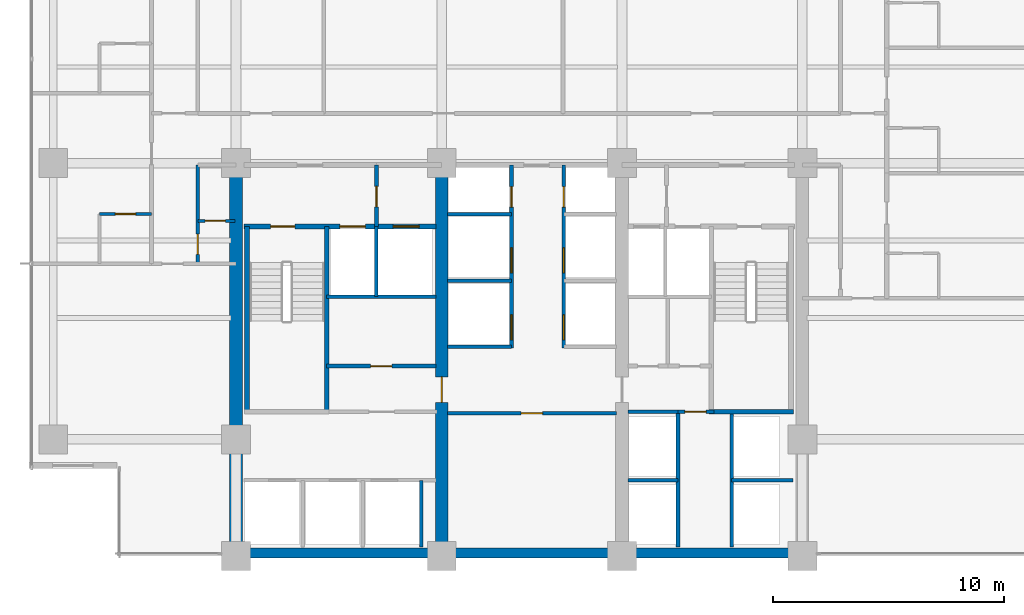
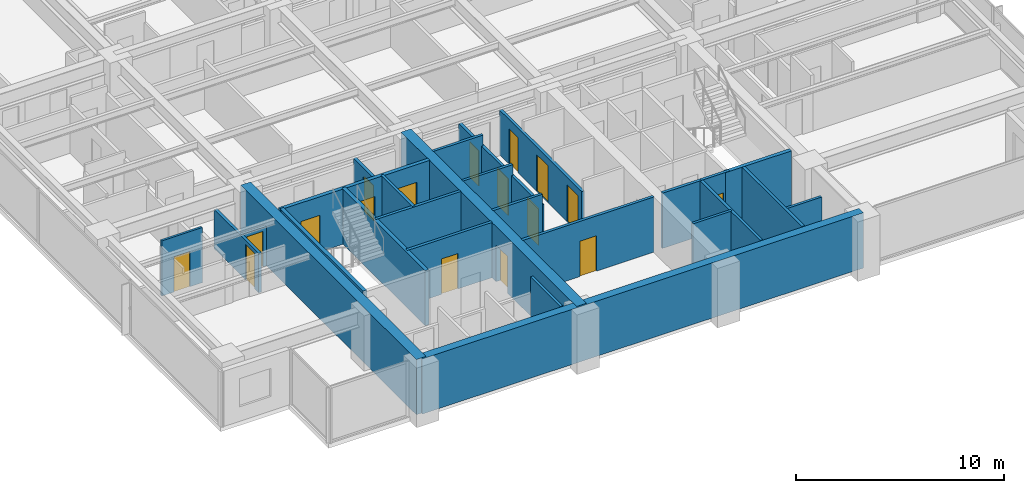
# One storey, part 8 of 17: 27 walls, 17 doors, 17 openings.
"""IFC4 building model written with IfcOpenShell, lengths in metres."""

from ifc_helpers import new_model, si_unit, direction, frame, frame_2d, origin, place, context, subcontext, project, spatial, rectangle, extrude, material, layer, layer_set, type_object, element, fill, save


model = new_model("IFC4")

# Units and contexts
model_context = context("Model", 3, precision=1e-05, world=origin(), true_north=direction((0.0, 1.0)))
body_context = subcontext(model_context, "Body", "Model", "MODEL_VIEW")
ifc_project = project(units=[si_unit("LENGTHUNIT", "METRE"), si_unit("AREAUNIT", "SQUARE_METRE"), si_unit("VOLUMEUNIT", "CUBIC_METRE"), si_unit("PLANEANGLEUNIT", "RADIAN"), si_unit("MASSUNIT", "GRAM", prefix="KILO")], contexts=[model_context])

# Site, building, storey
site_placement = place(None, origin())
site = spatial("IfcSite", under=ifc_project, at=site_placement, CompositionType="ELEMENT")
building_placement = place(site_placement, origin())
building = spatial("IfcBuilding", under=site, at=building_placement, Name="Qalmaran Belvedere Hotel", CompositionType="ELEMENT")
storey_placement = place(building_placement, frame((0.0, 0.0, 105.699951171875)))
storey = spatial("IfcBuildingStorey", under=building, at=storey_placement, Name="L26", CompositionType="ELEMENT", Elevation=105.699951171875)

# Wall
ifc_material_1 = material(Name="Concrete C60/75", Category="concrete")
ifc_layer_1 = layer(ifc_material_1, 0.550048828125, Name="Concrete C60/75")
ifc_layer_set_1 = layer_set([ifc_layer_1], Name="Concrete C60/75")
wall_type_1 = type_object("IfcWallType", Name="WL-CORE-550-C60", PredefinedType="SHEAR", material=ifc_layer_set_1)
wall_1_placement = place(storey_placement, frame((20.300048828125, 3.5, 0.0), z_axis=(0.0, 0.0, 1.0), x_axis=(0.0, 1.0, 0.0)))
element("IfcWall", 1, at=wall_1_placement, inside=storey, type_object=wall_type_1, Name="L26 West Core Shear Wall", PredefinedType="SHEAR", context=body_context, shape_type="SweptSolid", body=[
    extrude(rectangle(XDim=16.89990234375, YDim=0.550048828125, at=frame_2d((8.449951171875, 0.0))), origin(), (0.0, 0.0, 1.0), 3.239990234375),
])

# Wall, opening, door
wall_2_placement = place(storey_placement, frame((29.199951171875, 3.5, 0.0), z_axis=(0.0, 0.0, 1.0), x_axis=(0.0, 1.0, 0.0)))
wall_2 = element("IfcWall", 2, at=wall_2_placement, inside=storey, type_object=wall_type_1, Name="L26 Core West Spine Shear Wall", PredefinedType="SHEAR", context=body_context, shape_type="SweptSolid", body=[
    extrude(rectangle(XDim=16.89990234375, YDim=0.550048828125, at=frame_2d((8.449951171875, 0.0))), origin(), (0.0, 0.0, 1.0), 3.239990234375),
])
opening_1_placement = place(wall_2_placement, frame((7.75, 0.0, 0.0), z_axis=(0.0, 0.0, 1.0), x_axis=(-1.0, 0.0, 0.0)))
opening_1 = element("IfcOpeningElement", 3, at=opening_1_placement, cuts=wall_2, Name="Opening FD90", PredefinedType="OPENING", context=body_context, shape_type="SweptSolid", body=[
    extrude(rectangle(XDim=1.10009765625, YDim=2.14990234375, at=frame_2d((0.550048828125, 1.074951171875))), frame((0.0, 0.28515625, 0.0), z_axis=(0.0, -1.0, 0.0), x_axis=(1.0, 0.0, 0.0)), (0.0, 0.0, 1.0), 0.570068359375),
])
ifc_material_2 = material(Name="Steel S355JR", Category="steel")
door_type_1 = type_object("IfcDoorType", Name="DR-FD90-1100X2150", OperationType="NOTDEFINED", PredefinedType="DOOR", material=ifc_material_2)
door_1_placement = place(opening_1_placement, origin())
door_1 = element("IfcDoor", 4, at=door_1_placement, inside=storey, type_object=door_type_1, Name="L26 Core West Cross-Lobby Door", OperationType="SINGLE_SWING_LEFT", OverallHeight=2.14990234375, OverallWidth=1.10009765625, PredefinedType="DOOR", context=body_context, shape_type="SweptSolid", body=[
    extrude(rectangle(XDim=1.10009765625, YDim=2.14990234375, at=frame_2d((0.550048828125, 1.074951171875))), frame((0.0, 0.02490234375, 0.0), z_axis=(0.0, -1.0, 0.0), x_axis=(1.0, 0.0, 0.0)), (0.0, 0.0, 1.0), 0.050048828125),
])
fill(opening_1, door_1)

# Wall
ifc_material_3 = material(Name="Concrete C50/60", Category="concrete")
ifc_layer_2 = layer(ifc_material_3, 0.43994140625, Name="Concrete C50/60")
ifc_layer_set_2 = layer_set([ifc_layer_2], Name="Concrete C50/60")
wall_type_2 = type_object("IfcWallType", Name="WL-CORES-440-EXT", PredefinedType="SHEAR", material=ifc_layer_set_2)
wall_3_placement = place(storey_placement, frame((20.300048828125, 3.6298828125, 0.0), z_axis=(0.0, 0.0, 1.0), x_axis=(1.0, 0.0, 0.0)))
element("IfcWall", 5, at=wall_3_placement, inside=storey, type_object=wall_type_2, Name="L26 South Core Shear Wall", PredefinedType="SHEAR", context=body_context, shape_type="SweptSolid", body=[
    extrude(rectangle(XDim=24.5, YDim=0.43994140625, at=frame_2d((12.25, 0.0))), origin(), (0.0, 0.0, 1.0), 3.239990234375),
])

# Wall, opening, door
ifc_material_4 = material(Name="Moisture-Resistant Gypsum")
ifc_layer_3 = layer(ifc_material_4, 0.1201171875, Name="Moisture-Resistant Gypsum")
ifc_layer_set_3 = layer_set([ifc_layer_3], Name="Moisture-Resistant Gypsum")
wall_type_3 = type_object("IfcWallType", Name="WL-INT-120-BATH", PredefinedType="PARTITIONING", material=ifc_layer_set_3)
wall_4_placement = place(storey_placement, frame((14.39990234375, 18.300048828125, 0.0), z_axis=(0.0, 0.0, 1.0), x_axis=(1.0, 0.0, 0.0)))
wall_4 = element("IfcWall", 6, at=wall_4_placement, inside=storey, type_object=wall_type_3, Name="L26 Partition WL-L26-WBN00", PredefinedType="PARTITIONING", context=body_context, shape_type="SweptSolid", body=[
    extrude(rectangle(XDim=2.25, YDim=0.1201171875, at=frame_2d((1.125, 0.0))), origin(), (0.0, 0.0, 1.0), 3.239990234375),
])
opening_2_placement = place(wall_4_placement, frame((1.56494140625, 0.0, 0.0), z_axis=(0.0, 0.0, 1.0), x_axis=(-1.0, 0.0, 0.0)))
opening_2 = element("IfcOpeningElement", 7, at=opening_2_placement, cuts=wall_4, Name="Opening D-BATH", PredefinedType="OPENING", context=body_context, shape_type="SweptSolid", body=[
    extrude(rectangle(XDim=0.8798828125, YDim=2.080078125, at=frame_2d((0.43994140625, 1.0400390625))), frame((0.0, 0.070068359375, 0.0), z_axis=(0.0, -1.0, 0.0), x_axis=(1.0, 0.0, 0.0)), (0.0, 0.0, 1.0), 0.14013671875),
])
ifc_material_5 = material(Name="Engineered Oak Veneer")
door_type_2 = type_object("IfcDoorType", Name="DR-INT-BATH-880X2080", OperationType="NOTDEFINED", PredefinedType="DOOR", material=ifc_material_5)
door_2_placement = place(opening_2_placement, origin())
door_2 = element("IfcDoor", 8, at=door_2_placement, inside=storey, type_object=door_type_2, Name="L26 W Ensuite Door 01", OperationType="SINGLE_SWING_LEFT", OverallHeight=2.080078125, OverallWidth=0.8798828125, PredefinedType="DOOR", context=body_context, shape_type="SweptSolid", body=[
    extrude(rectangle(XDim=0.8798828125, YDim=2.080078125, at=frame_2d((0.43994140625, 1.0400390625))), frame((0.0, 0.02490234375, 0.0), z_axis=(0.0, -1.0, 0.0), x_axis=(1.0, 0.0, 0.0)), (0.0, 0.0, 1.0), 0.050048828125),
])
fill(opening_2, door_2)

ifc_material_6 = material(Name="Gypsum Stud Partition")
ifc_layer_4 = layer(ifc_material_6, 0.139892578125, Name="Gypsum Stud Partition")
ifc_layer_set_4 = layer_set([ifc_layer_4], Name="Gypsum Stud Partition")
wall_type_4 = type_object("IfcWallType", Name="WL-INT-140-NR", PredefinedType="PARTITIONING", material=ifc_layer_set_4)
wall_5_placement = place(storey_placement, frame((18.64990234375, 18.0, 0.0), z_axis=(0.0, 0.0, 1.0), x_axis=(1.0, 0.0, 0.0)))
wall_5 = element("IfcWall", 9, at=wall_5_placement, inside=storey, type_object=wall_type_4, Name="L26 Partition WL-L26-WCLSUB", PredefinedType="PARTITIONING", context=body_context, shape_type="SweptSolid", body=[
    extrude(rectangle(XDim=1.60009765625, YDim=0.139892578125, at=frame_2d((0.800048828125, 0.0))), origin(), (0.0, 0.0, 1.0), 2.31298828125),
])
opening_3_placement = place(wall_5_placement, frame((1.193115234375, 0.0, 0.0), z_axis=(0.0, 0.0, 1.0), x_axis=(-1.0, 0.0, 0.0)))
opening_3 = element("IfcOpeningElement", 10, at=opening_3_placement, cuts=wall_5, Name="Opening D-BATH", PredefinedType="OPENING", context=body_context, shape_type="SweptSolid", body=[
    extrude(rectangle(XDim=0.8798828125, YDim=2.080078125, at=frame_2d((0.43994140625, 1.0400390625))), frame((0.0, 0.080078125, 0.0), z_axis=(0.0, -1.0, 0.0), x_axis=(1.0, 0.0, 0.0)), (0.0, 0.0, 1.0), 0.159912109375),
])
door_3_placement = place(opening_3_placement, origin())
door_3 = element("IfcDoor", 11, at=door_3_placement, inside=storey, type_object=door_type_2, Name="L26 Closet Alcove Door", OperationType="SINGLE_SWING_RIGHT", OverallHeight=2.080078125, OverallWidth=0.8798828125, PredefinedType="DOOR", context=body_context, shape_type="SweptSolid", body=[
    extrude(rectangle(XDim=0.8798828125, YDim=2.080078125, at=frame_2d((0.43994140625, 1.0400390625))), frame((0.0, 0.02490234375, 0.0), z_axis=(0.0, -1.0, 0.0), x_axis=(1.0, 0.0, 0.0)), (0.0, 0.0, 1.0), 0.050048828125),
])
fill(opening_3, door_3)

# Walls
ifc_layer_5 = layer(ifc_material_6, 0.14990234375, Name="Gypsum Stud Partition")
ifc_layer_set_5 = layer_set([ifc_layer_5], Name="Gypsum Stud Partition")
wall_type_5 = type_object("IfcWallType", Name="WL-INT-150-EI120", PredefinedType="PARTITIONING", material=ifc_layer_set_5)
wall_6_placement = place(storey_placement, frame((26.360107421875, 14.719970703125, 0.0), z_axis=(0.0, 0.0, 1.0), x_axis=(0.0, 1.0, 0.0)))
element("IfcWall", 12, at=wall_6_placement, inside=storey, type_object=wall_type_5, Name="L26 Partition WL-FF1M-L26", PredefinedType="PARTITIONING", context=body_context, shape_type="SweptSolid", body=[
    extrude(rectangle(XDim=3.0400390625, YDim=0.14990234375, at=frame_2d((1.52001953125, 0.0))), origin(), (0.0, 0.0, 1.0), 3.239990234375),
])
wall_7_placement = place(storey_placement, frame((28.320068359375, 3.89990234375, 0.0), z_axis=(0.0, 0.0, 1.0), x_axis=(0.0, 1.0, 0.0)))
element("IfcWall", 13, at=wall_7_placement, inside=storey, type_object=wall_type_5, Name="L26 Partition WL-POM3-L26", PredefinedType="PARTITIONING", context=body_context, shape_type="SweptSolid", body=[
    extrude(rectangle(XDim=2.880126953125, YDim=0.14990234375, at=frame_2d((1.43994140625, 0.0))), origin(), (0.0, 0.0, 1.0), 3.239990234375),
])
wall_8_placement = place(storey_placement, frame((37.25, 6.780029296875, 0.0), z_axis=(0.0, 0.0, 1.0), x_axis=(1.0, 0.0, 0.0)))
element("IfcWall", 14, at=wall_8_placement, inside=storey, type_object=wall_type_5, Name="L26 Partition WL-PHMW-L26", PredefinedType="PARTITIONING", context=body_context, shape_type="SweptSolid", body=[
    extrude(rectangle(XDim=2.169921875, YDim=0.14990234375, at=frame_2d((1.0849609375, 0.0))), origin(), (0.0, 0.0, 1.0), 3.239990234375),
])
wall_9_placement = place(storey_placement, frame((41.739990234375, 6.780029296875, 0.0), z_axis=(0.0, 0.0, 1.0), x_axis=(1.0, 0.0, 0.0)))
element("IfcWall", 15, at=wall_9_placement, inside=storey, type_object=wall_type_5, Name="L26 Partition WL-PHME-L26", PredefinedType="PARTITIONING", context=body_context, shape_type="SweptSolid", body=[
    extrude(rectangle(XDim=2.659912109375, YDim=0.14990234375, at=frame_2d((1.330078125, 0.0))), origin(), (0.0, 0.0, 1.0), 2.31298828125),
])
for number, where, z_axis, x_axis, name in (
    (16, (29.449951171875, 12.550048828125, 0.0), (0.0, 0.0, 1.0), (1.0, 0.0, 0.0), "L26 Partition WL-PMW-L26-125"),
    (17, (29.449951171875, 15.419921875, 0.0), (0.0, 0.0, 1.0), (1.0, 0.0, 0.0), "L26 Partition WL-PMW-L26-154"),
    (18, (29.449951171875, 18.280029296875, 0.0), (0.0, 0.0, 1.0), (1.0, 0.0, 0.0), "L26 Partition WL-PMW-L26-182"),
):
    element("IfcWall", number, at=place(storey_placement, frame(where, z_axis=z_axis, x_axis=x_axis)), inside=storey, type_object=wall_type_5, Name=name, PredefinedType="PARTITIONING", context=body_context, shape_type="SweptSolid", body=[
        extrude(rectangle(XDim=2.77001953125, YDim=0.14990234375, at=frame_2d((1.385009765625, 0.0))), origin(), (0.0, 0.0, 1.0), 3.239990234375),
    ])

# Wall, opening, door
ifc_layer_6 = layer(ifc_material_6, 0.159912109375, Name="Gypsum Stud Partition")
ifc_layer_set_6 = layer_set([ifc_layer_6], Name="Gypsum Stud Partition")
wall_type_6 = type_object("IfcWallType", Name="WL-INT-160-EI120", PredefinedType="PARTITIONING", material=ifc_layer_set_6)
wall_10_placement = place(storey_placement, frame((26.3798828125, 17.760009765625, 0.0), z_axis=(0.0, 0.0, 1.0), x_axis=(0.0, 1.0, 0.0)))
wall_10 = element("IfcWall", 19, at=wall_10_placement, inside=storey, type_object=wall_type_6, Name="L26 Partition WL-FFSV1-L26", PredefinedType="PARTITIONING", context=body_context, shape_type="SweptSolid", body=[
    extrude(rectangle(XDim=2.659912109375, YDim=0.159912109375, at=frame_2d((1.330078125, 0.0))), origin(), (0.0, 0.0, 1.0), 2.614013671875),
])
opening_4_placement = place(wall_10_placement, frame((0.85009765625, 0.0, 0.0)))
opening_4 = element("IfcOpeningElement", 20, at=opening_4_placement, cuts=wall_10, Name="Opening FD60B", PredefinedType="OPENING", context=body_context, shape_type="SweptSolid", body=[
    extrude(rectangle(XDim=0.8798828125, YDim=2.080078125, at=frame_2d((0.43994140625, 1.0400390625))), frame((0.0, 0.08984375, 0.0), z_axis=(0.0, -1.0, 0.0), x_axis=(1.0, 0.0, 0.0)), (0.0, 0.0, 1.0), 0.179931640625),
])
door_type_3 = type_object("IfcDoorType", Name="DR-FD60B-880X2080", OperationType="NOTDEFINED", PredefinedType="DOOR", material=ifc_material_2)
door_4_placement = place(opening_4_placement, origin())
door_4 = element("IfcDoor", 21, at=door_4_placement, inside=storey, type_object=door_type_3, Name="L26 Service Lobby West Door", OperationType="SINGLE_SWING_LEFT", OverallHeight=2.080078125, OverallWidth=0.8798828125, PredefinedType="DOOR", context=body_context, shape_type="SweptSolid", body=[
    extrude(rectangle(XDim=0.8798828125, YDim=2.080078125, at=frame_2d((0.43994140625, 1.0400390625))), frame((0.0, 0.02490234375, 0.0), z_axis=(0.0, -1.0, 0.0), x_axis=(1.0, 0.0, 0.0)), (0.0, 0.0, 1.0), 0.050048828125),
])
fill(opening_4, door_4)

# Walls
wall_11_placement = place(storey_placement, frame((24.219970703125, 14.719970703125, 0.0), z_axis=(0.0, 0.0, 1.0), x_axis=(1.0, 0.0, 0.0)))
element("IfcWall", 22, at=wall_11_placement, inside=storey, type_object=wall_type_6, Name="L26 Partition WL-FF1S-L26", PredefinedType="PARTITIONING", context=body_context, shape_type="SweptSolid", body=[
    extrude(rectangle(XDim=4.72998046875, YDim=0.159912109375, at=frame_2d((2.364990234375, 0.0))), origin(), (0.0, 0.0, 1.0), 3.239990234375),
])
for number, where, z_axis, x_axis, name in (
    (23, (39.419921875, 3.89990234375, 0.0), (0.0, 0.0, 1.0), (0.0, 1.0, 0.0), "L26 Partition WL-PHW-L26"),
    (24, (41.739990234375, 3.89990234375, 0.0), (0.0, 0.0, 1.0), (0.0, 1.0, 0.0), "L26 Partition WL-PHE-L26"),
):
    element("IfcWall", number, at=place(storey_placement, frame(where, z_axis=z_axis, x_axis=x_axis)), inside=storey, type_object=wall_type_6, Name=name, PredefinedType="PARTITIONING", context=body_context, shape_type="SweptSolid", body=[
        extrude(rectangle(XDim=5.840087890625, YDim=0.159912109375, at=frame_2d((2.919921875, 0.0))), origin(), (0.0, 0.0, 1.0), 3.239990234375),
    ])
wall_12_placement = place(storey_placement, frame((37.25, 9.739990234375, 0.0), z_axis=(0.0, 0.0, 1.0), x_axis=(1.0, 0.0, 0.0)))
element("IfcWall", 25, at=wall_12_placement, inside=storey, type_object=wall_type_6, Name="L26 Partition WL-PHNW-L26", PredefinedType="PARTITIONING", context=body_context, shape_type="SweptSolid", body=[
    extrude(rectangle(XDim=2.169921875, YDim=0.159912109375, at=frame_2d((1.0849609375, 0.0))), origin(), (0.0, 0.0, 1.0), 3.239990234375),
])

# Wall, opening, door
wall_13_placement = place(storey_placement, frame((39.419921875, 9.739990234375, 0.0), z_axis=(0.0, 0.0, 1.0), x_axis=(1.0, 0.0, 0.0)))
wall_13 = element("IfcWall", 26, at=wall_13_placement, inside=storey, type_object=wall_type_6, Name="L26 Partition WL-PHNL-L26", PredefinedType="PARTITIONING", context=body_context, shape_type="SweptSolid", body=[
    extrude(rectangle(XDim=1.56005859375, YDim=0.159912109375, at=frame_2d((0.780029296875, 0.0))), origin(), (0.0, 0.0, 1.0), 3.239990234375),
])
opening_5_placement = place(wall_13_placement, frame((0.300048828125, 0.0, 0.0)))
opening_5 = element("IfcOpeningElement", 27, at=opening_5_placement, cuts=wall_13, Name="Opening FD60S1", PredefinedType="OPENING", context=body_context, shape_type="SweptSolid", body=[
    extrude(rectangle(XDim=0.919921875, YDim=2.080078125, at=frame_2d((0.4599609375, 1.0400390625))), frame((0.0, 0.08984375, 0.0), z_axis=(0.0, -1.0, 0.0), x_axis=(1.0, 0.0, 0.0)), (0.0, 0.0, 1.0), 0.179931640625),
])
door_type_4 = type_object("IfcDoorType", Name="DR-FD60S-920X2080", OperationType="NOTDEFINED", PredefinedType="DOOR", material=ifc_material_5)
door_5_placement = place(opening_5_placement, origin())
door_5 = element("IfcDoor", 28, at=door_5_placement, inside=storey, type_object=door_type_4, Name="L26 High-Rise Lift Lobby Passage Door", OperationType="SINGLE_SWING_RIGHT", OverallHeight=2.080078125, OverallWidth=0.919921875, PredefinedType="DOOR", context=body_context, shape_type="SweptSolid", body=[
    extrude(rectangle(XDim=0.919921875, YDim=2.080078125, at=frame_2d((0.4599609375, 1.0400390625))), frame((0.0, 0.02490234375, 0.0), z_axis=(0.0, -1.0, 0.0), x_axis=(1.0, 0.0, 0.0)), (0.0, 0.0, 1.0), 0.050048828125),
])
fill(opening_5, door_5)

# Wall, openings, doors
wall_14_placement = place(storey_placement, frame((32.219970703125, 12.5, 0.0), z_axis=(0.0, 0.0, 1.0), x_axis=(0.0, 1.0, 0.0)))
wall_14 = element("IfcWall", 29, at=wall_14_placement, inside=storey, type_object=wall_type_6, Name="L26 Partition WL-CLBWN-L26", PredefinedType="PARTITIONING", context=body_context, shape_type="SweptSolid", body=[
    extrude(rectangle(XDim=7.919921875, YDim=0.159912109375, at=frame_2d((3.9599609375, 0.0))), origin(), (0.0, 0.0, 1.0), 2.614013671875),
])
opening_6_placement = place(wall_14_placement, frame((1.43017578125, 0.0, 0.0), z_axis=(0.0, 0.0, 1.0), x_axis=(-1.0, 0.0, 0.0)))
opening_6 = element("IfcOpeningElement", 30, at=opening_6_placement, cuts=wall_14, Name="Opening LD-P1", PredefinedType="OPENING", context=body_context, shape_type="SweptSolid", body=[
    extrude(rectangle(XDim=1.080078125, YDim=2.159912109375, at=frame_2d((0.5400390625, 1.080078125))), frame((0.0, 0.08984375, 0.0), z_axis=(0.0, -1.0, 0.0), x_axis=(1.0, 0.0, 0.0)), (0.0, 0.0, 1.0), 0.179931640625),
])
opening_7_placement = place(wall_14_placement, frame((4.330078125, 0.0, 0.0), z_axis=(0.0, 0.0, 1.0), x_axis=(-1.0, 0.0, 0.0)))
opening_7 = element("IfcOpeningElement", 31, at=opening_7_placement, cuts=wall_14, Name="Opening LD-P1", PredefinedType="OPENING", context=body_context, shape_type="SweptSolid", body=[
    extrude(rectangle(XDim=1.080078125, YDim=2.159912109375, at=frame_2d((0.5400390625, 1.080078125))), frame((0.0, 0.08984375, 0.0), z_axis=(0.0, -1.0, 0.0), x_axis=(1.0, 0.0, 0.0)), (0.0, 0.0, 1.0), 0.179931640625),
])
opening_8_placement = place(wall_14_placement, frame((6.10009765625, 0.0, 0.0)))
opening_8 = element("IfcOpeningElement", 32, at=opening_8_placement, cuts=wall_14, Name="Opening FD60B", PredefinedType="OPENING", context=body_context, shape_type="SweptSolid", body=[
    extrude(rectangle(XDim=0.8798828125, YDim=2.080078125, at=frame_2d((0.43994140625, 1.0400390625))), frame((0.0, 0.08984375, 0.0), z_axis=(0.0, -1.0, 0.0), x_axis=(1.0, 0.0, 0.0)), (0.0, 0.0, 1.0), 0.179931640625),
])
door_6_placement = place(opening_8_placement, origin())
door_6 = element("IfcDoor", 33, at=door_6_placement, inside=storey, type_object=door_type_3, Name="L26 West Riser Access Door", OperationType="SINGLE_SWING_RIGHT", OverallHeight=2.080078125, OverallWidth=0.8798828125, PredefinedType="DOOR", context=body_context, shape_type="SweptSolid", body=[
    extrude(rectangle(XDim=0.8798828125, YDim=2.080078125, at=frame_2d((0.43994140625, 1.0400390625))), frame((0.0, 0.02490234375, 0.0), z_axis=(0.0, -1.0, 0.0), x_axis=(1.0, 0.0, 0.0)), (0.0, 0.0, 1.0), 0.050048828125),
])
fill(opening_8, door_6)
ifc_material_7 = material(Name="Stainless Steel 1.4401", Category="steel")
door_type_5 = type_object("IfcDoorType", Name="DR-LIFT-P1-1080X2160", OperationType="DOUBLE_DOOR_SLIDING", PredefinedType="DOOR", material=ifc_material_7)
door_7_placement = place(opening_6_placement, origin())
door_7 = element("IfcDoor", 34, at=door_7_placement, inside=storey, type_object=door_type_5, Name="L26 PM1 Lift Landing Door", OperationType="DOUBLE_DOOR_SLIDING", OverallHeight=2.159912109375, OverallWidth=1.080078125, PredefinedType="DOOR", context=body_context, shape_type="SweptSolid", body=[
    extrude(rectangle(XDim=1.080078125, YDim=2.159912109375, at=frame_2d((0.5400390625, 1.080078125))), frame((0.0, 0.02490234375, 0.0), z_axis=(0.0, -1.0, 0.0), x_axis=(1.0, 0.0, 0.0)), (0.0, 0.0, 1.0), 0.050048828125),
])
fill(opening_6, door_7)
door_8_placement = place(opening_7_placement, origin())
door_8 = element("IfcDoor", 35, at=door_8_placement, inside=storey, type_object=door_type_5, Name="L26 PM2 Lift Landing Door", OperationType="DOUBLE_DOOR_SLIDING", OverallHeight=2.159912109375, OverallWidth=1.080078125, PredefinedType="DOOR", context=body_context, shape_type="SweptSolid", body=[
    extrude(rectangle(XDim=1.080078125, YDim=2.159912109375, at=frame_2d((0.5400390625, 1.080078125))), frame((0.0, 0.02490234375, 0.0), z_axis=(0.0, -1.0, 0.0), x_axis=(1.0, 0.0, 0.0)), (0.0, 0.0, 1.0), 0.050048828125),
])
fill(opening_7, door_8)

wall_15_placement = place(storey_placement, frame((34.47998046875, 12.5, 0.0), z_axis=(0.0, 0.0, 1.0), x_axis=(0.0, 1.0, 0.0)))
wall_15 = element("IfcWall", 36, at=wall_15_placement, inside=storey, type_object=wall_type_6, Name="L26 Partition WL-CLBEN-L26", PredefinedType="PARTITIONING", context=body_context, shape_type="SweptSolid", body=[
    extrude(rectangle(XDim=7.919921875, YDim=0.159912109375, at=frame_2d((3.9599609375, 0.0))), origin(), (0.0, 0.0, 1.0), 2.614013671875),
])
opening_9_placement = place(wall_15_placement, frame((0.35009765625, 0.0, 0.0)))
opening_9 = element("IfcOpeningElement", 37, at=opening_9_placement, cuts=wall_15, Name="Opening LD-P1", PredefinedType="OPENING", context=body_context, shape_type="SweptSolid", body=[
    extrude(rectangle(XDim=1.080078125, YDim=2.159912109375, at=frame_2d((0.5400390625, 1.080078125))), frame((0.0, 0.08984375, 0.0), z_axis=(0.0, -1.0, 0.0), x_axis=(1.0, 0.0, 0.0)), (0.0, 0.0, 1.0), 0.179931640625),
])
opening_10_placement = place(wall_15_placement, frame((3.25, 0.0, 0.0)))
opening_10 = element("IfcOpeningElement", 38, at=opening_10_placement, cuts=wall_15, Name="Opening LD-P1", PredefinedType="OPENING", context=body_context, shape_type="SweptSolid", body=[
    extrude(rectangle(XDim=1.080078125, YDim=2.159912109375, at=frame_2d((0.5400390625, 1.080078125))), frame((0.0, 0.08984375, 0.0), z_axis=(0.0, -1.0, 0.0), x_axis=(1.0, 0.0, 0.0)), (0.0, 0.0, 1.0), 0.179931640625),
])
opening_11_placement = place(wall_15_placement, frame((6.97998046875, 0.0, 0.0), z_axis=(0.0, 0.0, 1.0), x_axis=(-1.0, 0.0, 0.0)))
opening_11 = element("IfcOpeningElement", 39, at=opening_11_placement, cuts=wall_15, Name="Opening FD60B", PredefinedType="OPENING", context=body_context, shape_type="SweptSolid", body=[
    extrude(rectangle(XDim=0.8798828125, YDim=2.080078125, at=frame_2d((0.43994140625, 1.0400390625))), frame((0.0, 0.08984375, 0.0), z_axis=(0.0, -1.0, 0.0), x_axis=(1.0, 0.0, 0.0)), (0.0, 0.0, 1.0), 0.179931640625),
])
door_9_placement = place(opening_11_placement, origin())
door_9 = element("IfcDoor", 40, at=door_9_placement, inside=storey, type_object=door_type_3, Name="L26 East Riser Access Door", OperationType="SINGLE_SWING_LEFT", OverallHeight=2.080078125, OverallWidth=0.8798828125, PredefinedType="DOOR", context=body_context, shape_type="SweptSolid", body=[
    extrude(rectangle(XDim=0.8798828125, YDim=2.080078125, at=frame_2d((0.43994140625, 1.0400390625))), frame((0.0, 0.02490234375, 0.0), z_axis=(0.0, -1.0, 0.0), x_axis=(1.0, 0.0, 0.0)), (0.0, 0.0, 1.0), 0.050048828125),
])
fill(opening_11, door_9)
door_10_placement = place(opening_9_placement, origin())
door_10 = element("IfcDoor", 41, at=door_10_placement, inside=storey, type_object=door_type_5, Name="L26 PM3 Lift Landing Door", OperationType="DOUBLE_DOOR_SLIDING", OverallHeight=2.159912109375, OverallWidth=1.080078125, PredefinedType="DOOR", context=body_context, shape_type="SweptSolid", body=[
    extrude(rectangle(XDim=1.080078125, YDim=2.159912109375, at=frame_2d((0.5400390625, 1.080078125))), frame((0.0, 0.02490234375, 0.0), z_axis=(0.0, -1.0, 0.0), x_axis=(1.0, 0.0, 0.0)), (0.0, 0.0, 1.0), 0.050048828125),
])
fill(opening_9, door_10)
door_11_placement = place(opening_10_placement, origin())
door_11 = element("IfcDoor", 42, at=door_11_placement, inside=storey, type_object=door_type_5, Name="L26 PM4 Lift Landing Door", OperationType="DOUBLE_DOOR_SLIDING", OverallHeight=2.159912109375, OverallWidth=1.080078125, PredefinedType="DOOR", context=body_context, shape_type="SweptSolid", body=[
    extrude(rectangle(XDim=1.080078125, YDim=2.159912109375, at=frame_2d((0.5400390625, 1.080078125))), frame((0.0, 0.02490234375, 0.0), z_axis=(0.0, -1.0, 0.0), x_axis=(1.0, 0.0, 0.0)), (0.0, 0.0, 1.0), 0.050048828125),
])
fill(opening_10, door_11)

# Wall, opening, door
ifc_layer_7 = layer(ifc_material_6, 0.159912109375, Name="Gypsum Stud Partition")
ifc_layer_set_7 = layer_set([ifc_layer_7], Name="Gypsum Stud Partition")
wall_type_7 = type_object("IfcWallType", Name="WL-INT-160-EI60", PredefinedType="PARTITIONING", material=ifc_layer_set_7)
wall_16_placement = place(storey_placement, frame((24.219970703125, 11.719970703125, 0.0), z_axis=(0.0, 0.0, 1.0), x_axis=(1.0, 0.0, 0.0)))
wall_16 = element("IfcWall", 43, at=wall_16_placement, inside=storey, type_object=wall_type_7, Name="L26 Partition WL-L26-KWE1", PredefinedType="PARTITIONING", context=body_context, shape_type="SweptSolid", body=[
    extrude(rectangle(XDim=4.72998046875, YDim=0.159912109375, at=frame_2d((2.364990234375, 0.0))), origin(), (0.0, 0.0, 1.0), 3.239990234375),
])
opening_12_placement = place(wall_16_placement, frame((1.905029296875, 0.0, 0.0)))
opening_12 = element("IfcOpeningElement", 44, at=opening_12_placement, cuts=wall_16, Name="Opening FD60S1", PredefinedType="OPENING", context=body_context, shape_type="SweptSolid", body=[
    extrude(rectangle(XDim=0.919921875, YDim=2.080078125, at=frame_2d((0.4599609375, 1.0400390625))), frame((0.0, 0.08984375, 0.0), z_axis=(0.0, -1.0, 0.0), x_axis=(1.0, 0.0, 0.0)), (0.0, 0.0, 1.0), 0.179931640625),
])
door_12_placement = place(opening_12_placement, origin())
door_12 = element("IfcDoor", 45, at=door_12_placement, inside=storey, type_object=door_type_4, Name="L26 Electrical Distribution Room Door", OperationType="SINGLE_SWING_RIGHT", OverallHeight=2.080078125, OverallWidth=0.919921875, PredefinedType="DOOR", context=body_context, shape_type="SweptSolid", body=[
    extrude(rectangle(XDim=0.919921875, YDim=2.080078125, at=frame_2d((0.4599609375, 1.0400390625))), frame((0.0, 0.02490234375, 0.0), z_axis=(0.0, -1.0, 0.0), x_axis=(1.0, 0.0, 0.0)), (0.0, 0.0, 1.0), 0.050048828125),
])
fill(opening_12, door_12)

wall_17_placement = place(storey_placement, frame((29.449951171875, 9.679931640625, 0.0), z_axis=(0.0, 0.0, 1.0), x_axis=(1.0, 0.0, 0.0)))
wall_17 = element("IfcWall", 46, at=wall_17_placement, inside=storey, type_object=wall_type_7, Name="L26 Partition WL-L26-KPLE1", PredefinedType="PARTITIONING", context=body_context, shape_type="SweptSolid", body=[
    extrude(rectangle(XDim=7.300048828125, YDim=0.159912109375, at=frame_2d((3.64990234375, 0.0))), origin(), (0.0, 0.0, 1.0), 3.239990234375),
])
opening_13_placement = place(wall_17_placement, frame((4.10986328125, 0.0, 0.0), z_axis=(0.0, 0.0, 1.0), x_axis=(-1.0, 0.0, 0.0)))
opening_13 = element("IfcOpeningElement", 47, at=opening_13_placement, cuts=wall_17, Name="Opening FD60S1", PredefinedType="OPENING", context=body_context, shape_type="SweptSolid", body=[
    extrude(rectangle(XDim=0.919921875, YDim=2.080078125, at=frame_2d((0.4599609375, 1.0400390625))), frame((0.0, 0.08984375, 0.0), z_axis=(0.0, -1.0, 0.0), x_axis=(1.0, 0.0, 0.0)), (0.0, 0.0, 1.0), 0.179931640625),
])
door_13_placement = place(opening_13_placement, origin())
door_13 = element("IfcDoor", 48, at=door_13_placement, inside=storey, type_object=door_type_4, Name="L26 Housekeeping and Linen Room Door", OperationType="SINGLE_SWING_LEFT", OverallHeight=2.080078125, OverallWidth=0.919921875, PredefinedType="DOOR", context=body_context, shape_type="SweptSolid", body=[
    extrude(rectangle(XDim=0.919921875, YDim=2.080078125, at=frame_2d((0.4599609375, 1.0400390625))), frame((0.0, 0.02490234375, 0.0), z_axis=(0.0, -1.0, 0.0), x_axis=(1.0, 0.0, 0.0)), (0.0, 0.0, 1.0), 0.050048828125),
])
fill(opening_13, door_13)

wall_18_placement = place(storey_placement, frame((18.64990234375, 16.14990234375, 0.0), z_axis=(0.0, 0.0, 1.0), x_axis=(0.0, 1.0, 0.0)))
wall_18 = element("IfcWall", 49, at=wall_18_placement, inside=storey, type_object=wall_type_7, Name="L26 Partition WL-L26-WCL", PredefinedType="PARTITIONING", context=body_context, shape_type="SweptSolid", body=[
    extrude(rectangle(XDim=4.27001953125, YDim=0.159912109375, at=frame_2d((2.135009765625, 0.0))), origin(), (0.0, 0.0, 1.0), 2.31298828125),
])
opening_14_placement = place(wall_18_placement, frame((1.27978515625, 0.0, 0.0), z_axis=(0.0, 0.0, 1.0), x_axis=(-1.0, 0.0, 0.0)))
opening_14 = element("IfcOpeningElement", 50, at=opening_14_placement, cuts=wall_18, Name="Opening FD60B", PredefinedType="OPENING", context=body_context, shape_type="SweptSolid", body=[
    extrude(rectangle(XDim=0.8798828125, YDim=2.080078125, at=frame_2d((0.43994140625, 1.0400390625))), frame((0.0, 0.08984375, 0.0), z_axis=(0.0, -1.0, 0.0), x_axis=(1.0, 0.0, 0.0)), (0.0, 0.0, 1.0), 0.179931640625),
])
door_14_placement = place(opening_14_placement, origin())
door_14 = element("IfcDoor", 51, at=door_14_placement, inside=storey, type_object=door_type_3, Name="L26 West Closet Door", OperationType="SINGLE_SWING_RIGHT", OverallHeight=2.080078125, OverallWidth=0.8798828125, PredefinedType="DOOR", context=body_context, shape_type="SweptSolid", body=[
    extrude(rectangle(XDim=0.8798828125, YDim=2.080078125, at=frame_2d((0.43994140625, 1.0400390625))), frame((0.0, 0.02490234375, 0.0), z_axis=(0.0, -1.0, 0.0), x_axis=(1.0, 0.0, 0.0)), (0.0, 0.0, 1.0), 0.050048828125),
])
fill(opening_14, door_14)

# Walls
ifc_layer_8 = layer(ifc_material_3, 0.2099609375, Name="Concrete C50/60")
ifc_layer_set_8 = layer_set([ifc_layer_8], Name="Concrete C50/60")
wall_type_8 = type_object("IfcWallType", Name="WL-STAIR-210-C50", PredefinedType="SHEAR", material=ifc_layer_set_8)
for number, where, z_axis, x_axis, name in (
    (52, (20.77490234375, 9.7451171875, 0.0), (0.0, 0.0, 1.0), (0.0, 1.0, 0.0), "L26 Stair ST-1 West Bearing Wall"),
    (53, (24.22509765625, 9.7451171875, 0.0), (0.0, 0.0, 1.0), (0.0, 1.0, 0.0), "L26 Stair ST-1 East Bearing Wall"),
):
    element("IfcWall", number, at=place(storey_placement, frame(where, z_axis=z_axis, x_axis=x_axis)), inside=storey, type_object=wall_type_8, Name=name, PredefinedType="SHEAR", context=body_context, shape_type="SweptSolid", body=[
        extrude(rectangle(XDim=8.009765625, YDim=0.2099609375, at=frame_2d((4.0048828125, 0.0))), origin(), (0.0, 0.0, 1.0), 3.239990234375),
    ])

# Wall, openings, doors
wall_19_placement = place(storey_placement, frame((20.64990234375, 17.7548828125, 0.0), z_axis=(0.0, 0.0, 1.0), x_axis=(1.0, 0.0, 0.0)))
wall_19 = element("IfcWall", 54, at=wall_19_placement, inside=storey, type_object=wall_type_8, Name="L26 West Lobby and Stair ST-1 North Bearing Wall", PredefinedType="SHEAR", context=body_context, shape_type="SweptSolid", body=[
    extrude(rectangle(XDim=8.300048828125, YDim=0.2099609375, at=frame_2d((4.14990234375, 0.0))), origin(), (0.0, 0.0, 1.0), 3.239990234375),
])
opening_15_placement = place(wall_19_placement, frame((2.199951171875, 0.0, 0.0), z_axis=(0.0, 0.0, 1.0), x_axis=(-1.0, 0.0, 0.0)))
opening_15 = element("IfcOpeningElement", 55, at=opening_15_placement, cuts=wall_19, Name="Opening FD90S2", PredefinedType="OPENING", context=body_context, shape_type="SweptSolid", body=[
    extrude(rectangle(XDim=1.050048828125, YDim=2.14990234375, at=frame_2d((0.52490234375, 1.074951171875))), frame((0.0, 0.114990234375, 0.0), z_axis=(0.0, -1.0, 0.0), x_axis=(1.0, 0.0, 0.0)), (0.0, 0.0, 1.0), 0.22998046875),
])
opening_16_placement = place(wall_19_placement, frame((4.14990234375, 0.0, 0.0)))
opening_16 = element("IfcOpeningElement", 56, at=opening_16_placement, cuts=wall_19, Name="Opening LD-FF", PredefinedType="OPENING", context=body_context, shape_type="SweptSolid", body=[
    extrude(rectangle(XDim=1.10009765625, YDim=2.179931640625, at=frame_2d((0.550048828125, 1.08984375))), frame((0.0, 0.114990234375, 0.0), z_axis=(0.0, -1.0, 0.0), x_axis=(1.0, 0.0, 0.0)), (0.0, 0.0, 1.0), 0.22998046875),
])
opening_17_placement = place(wall_19_placement, frame((6.449951171875, 0.0, 0.0)))
opening_17 = element("IfcOpeningElement", 57, at=opening_17_placement, cuts=wall_19, Name="Opening LD-SV", PredefinedType="OPENING", context=body_context, shape_type="SweptSolid", body=[
    extrude(rectangle(XDim=1.1201171875, YDim=2.199951171875, at=frame_2d((0.56005859375, 1.10009765625))), frame((0.0, 0.114990234375, 0.0), z_axis=(0.0, -1.0, 0.0), x_axis=(1.0, 0.0, 0.0)), (0.0, 0.0, 1.0), 0.22998046875),
])
door_type_6 = type_object("IfcDoorType", Name="DR-FD90S-1050X2150", OperationType="NOTDEFINED", PredefinedType="DOOR", material=ifc_material_2)
door_15_placement = place(opening_15_placement, origin())
door_15 = element("IfcDoor", 58, at=door_15_placement, inside=storey, type_object=door_type_6, Name="L26 Stair ST-1 Door", OperationType="SINGLE_SWING_LEFT", OverallHeight=2.14990234375, OverallWidth=1.050048828125, PredefinedType="DOOR", context=body_context, shape_type="SweptSolid", body=[
    extrude(rectangle(XDim=1.050048828125, YDim=2.14990234375, at=frame_2d((0.52490234375, 1.074951171875))), frame((0.0, 0.02490234375, 0.0), z_axis=(0.0, -1.0, 0.0), x_axis=(1.0, 0.0, 0.0)), (0.0, 0.0, 1.0), 0.050048828125),
])
fill(opening_15, door_15)
door_type_7 = type_object("IfcDoorType", Name="DR-LIFT-FF-1100X2180", OperationType="DOUBLE_DOOR_SLIDING", PredefinedType="DOOR", material=ifc_material_7)
door_16_placement = place(opening_16_placement, origin())
door_16 = element("IfcDoor", 59, at=door_16_placement, inside=storey, type_object=door_type_7, Name="L26 FF1 Lift Landing Door", OperationType="DOUBLE_DOOR_SLIDING", OverallHeight=2.179931640625, OverallWidth=1.10009765625, PredefinedType="DOOR", context=body_context, shape_type="SweptSolid", body=[
    extrude(rectangle(XDim=1.10009765625, YDim=2.179931640625, at=frame_2d((0.550048828125, 1.08984375))), frame((0.0, 0.02490234375, 0.0), z_axis=(0.0, -1.0, 0.0), x_axis=(1.0, 0.0, 0.0)), (0.0, 0.0, 1.0), 0.050048828125),
])
fill(opening_16, door_16)
door_type_8 = type_object("IfcDoorType", Name="DR-LIFT-SV-1120X2200", OperationType="DOUBLE_DOOR_SLIDING", PredefinedType="DOOR", material=ifc_material_7)
door_17_placement = place(opening_17_placement, origin())
door_17 = element("IfcDoor", 60, at=door_17_placement, inside=storey, type_object=door_type_8, Name="L26 SV1 Lift Landing Door", OperationType="DOUBLE_DOOR_SLIDING", OverallHeight=2.199951171875, OverallWidth=1.1201171875, PredefinedType="DOOR", context=body_context, shape_type="SweptSolid", body=[
    extrude(rectangle(XDim=1.1201171875, YDim=2.199951171875, at=frame_2d((0.56005859375, 1.10009765625))), frame((0.0, 0.02490234375, 0.0), z_axis=(0.0, -1.0, 0.0), x_axis=(1.0, 0.0, 0.0)), (0.0, 0.0, 1.0), 0.050048828125),
])
fill(opening_17, door_17)

# Wall
wall_20_placement = place(storey_placement, frame((40.75, 9.7451171875, 0.0), z_axis=(0.0, 0.0, 1.0), x_axis=(1.0, 0.0, 0.0)))
element("IfcWall", 61, at=wall_20_placement, inside=storey, type_object=wall_type_8, Name="L26 Stair ST-2 South Bearing Wall", PredefinedType="SHEAR", context=body_context, shape_type="SweptSolid", body=[
    extrude(rectangle(XDim=3.659912109375, YDim=0.2099609375, at=frame_2d((1.830078125, 0.0))), origin(), (0.0, 0.0, 1.0), 3.239990234375),
])

save(model, "model.ifc")
